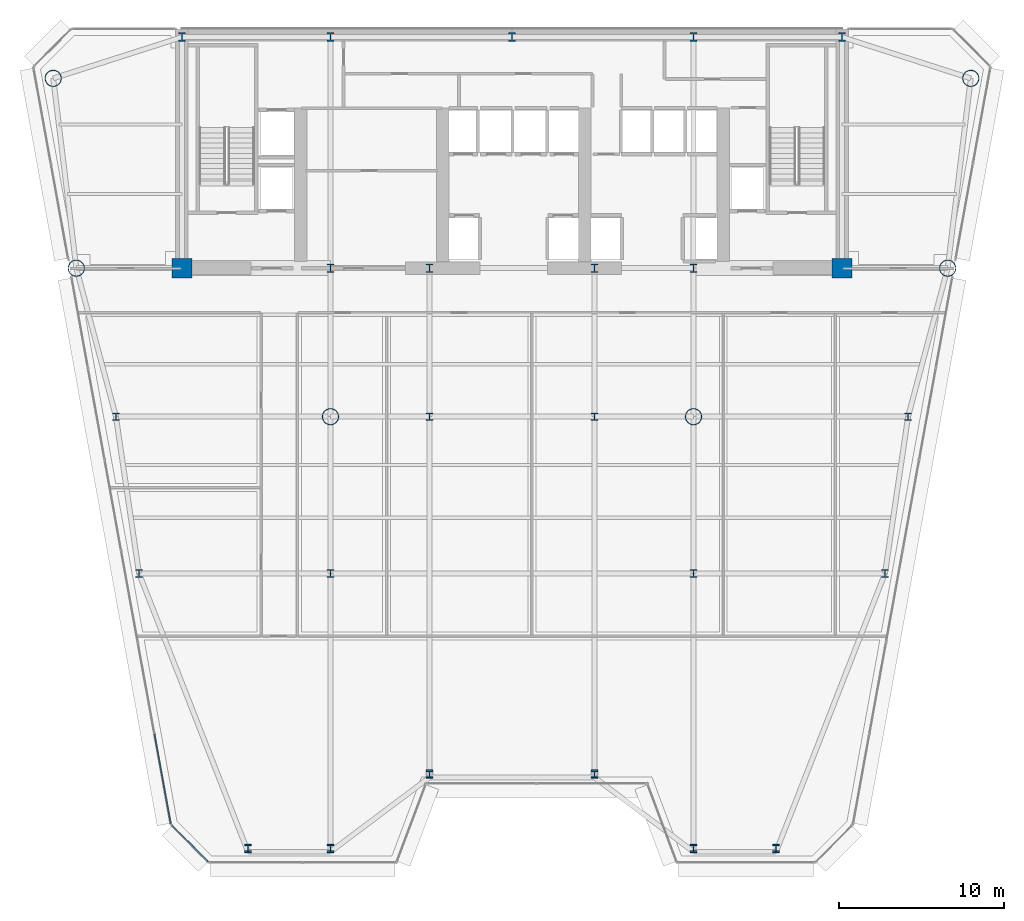
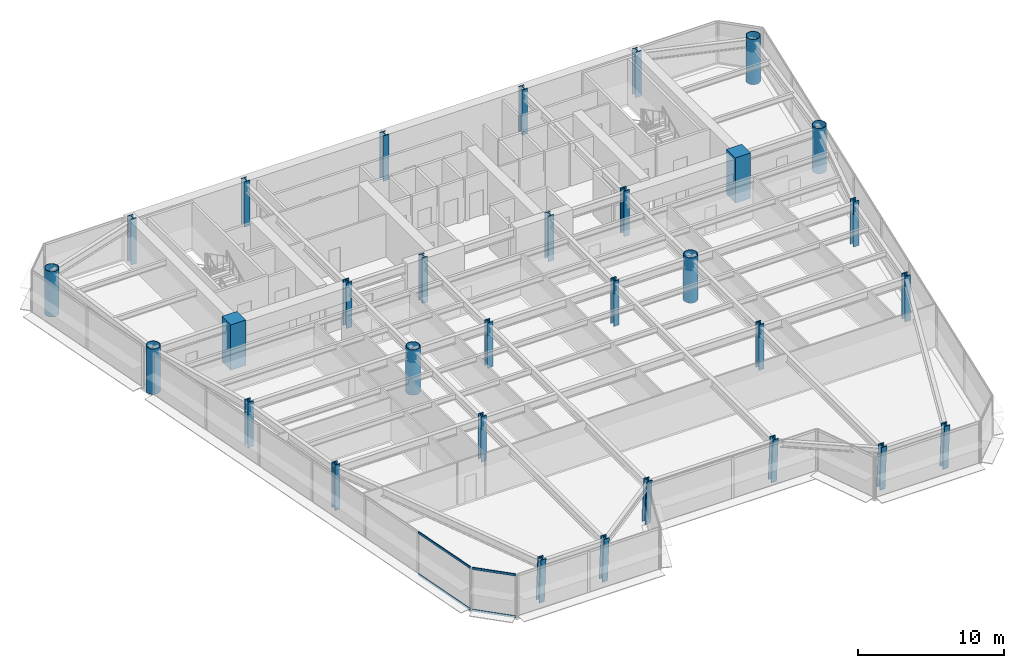
# One storey, part 1 of 14: 31 columns, 4 members, 2 elements without a shape of their own.
"""IFC4 building model written with IfcOpenShell, lengths in metres."""

from ifc_helpers import new_model, si_unit, direction, frame, origin, origin_2d, place, context, subcontext, project, spatial, rectangle, hollow_circle, i_section, extrude, source, transform, mapped, material, layer, layer_set, material_profile, profile_set, type_object, element, aggregate, save


model = new_model("IFC4")

# Units and contexts
model_context = context("Model", 3, precision=1e-05, world=origin(), true_north=direction((0.0, 1.0)))
body_context = subcontext(model_context, "Body", "Model", "MODEL_VIEW")
ifc_project = project(units=[si_unit("LENGTHUNIT", "METRE"), si_unit("AREAUNIT", "SQUARE_METRE"), si_unit("VOLUMEUNIT", "CUBIC_METRE"), si_unit("PLANEANGLEUNIT", "RADIAN"), si_unit("MASSUNIT", "GRAM", prefix="KILO")], contexts=[model_context])

# Site, building, storey
site_placement = place(None, origin())
site = spatial("IfcSite", under=ifc_project, at=site_placement, CompositionType="ELEMENT")
building_placement = place(site_placement, origin())
building = spatial("IfcBuilding", under=site, at=building_placement, Name="Vaeldorn Concourse Tower", CompositionType="ELEMENT")
storey_placement = place(building_placement, frame((0.0, 0.0, 137.60009765625)))
storey = spatial("IfcBuildingStorey", under=building, at=storey_placement, Name="L35", CompositionType="ELEMENT", Elevation=137.60009765625)

# Columns
ifc_material_1 = material(Name="Concrete C50/60", Category="concrete")
ifc_material_profile_1 = material_profile(ifc_material_1, rectangle(XDim=1.199951171875, YDim=1.199951171875, at=origin_2d()), Name="RC 1200x1200")
ifc_profile_set_1 = profile_set([ifc_material_profile_1], Name="Concrete C50/60")
column_type_1 = type_object("IfcColumnType", Name="COL-RC1200", PredefinedType="COLUMN", material=ifc_profile_set_1)
shared_shape_1 = source(origin(), body_context, "Body", "SweptSolid", [
    extrude(rectangle(XDim=1.199951171875, YDim=1.199951171875, at=origin_2d()), origin(), (0.0, 0.0, 1.0), 3.7998046875),
])
for number, where, z_axis, x_axis, name in (
    (1, (14.0, 36.5, 0.0), (0.0, 0.0, 1.0), (1.0, 0.0, 0.0), "Column C-FC1 L35"),
    (2, (54.0, 36.5, 0.0), (0.0, 0.0, 1.0), (1.0, 0.0, 0.0), "Column C-FC6 L35"),
):
    element("IfcColumn", number, at=place(storey_placement, frame(where, z_axis=z_axis, x_axis=x_axis)), inside=storey, type_object=column_type_1, Name=name, PredefinedType="COLUMN", context=body_context, shape_type="MappedRepresentation", body=[
        mapped(shared_shape_1, transform((0.0, 0.0, 0.0), scale=1.0)),
    ])
ifc_material_2 = material(Name="Steel S460", Category="steel")
ifc_material_profile_2 = material_profile(ifc_material_2, i_section(OverallWidth=0.44189453125, OverallDepth=0.531005859375, WebThickness=0.06494140625, FlangeThickness=0.075927734375, FilletRadius=0.014892578125, at=origin_2d()), Name="HD 400x900")
ifc_profile_set_2 = profile_set([ifc_material_profile_2], Name="Steel S460")
column_type_2 = type_object("IfcColumnType", Name="COL-HD900", PredefinedType="COLUMN", material=ifc_profile_set_2)
shared_shape_2 = source(origin(), body_context, "Body", "SweptSolid", [
    extrude(i_section(OverallWidth=0.44189453125, OverallDepth=0.531005859375, WebThickness=0.06494140625, FlangeThickness=0.075927734375, FilletRadius=0.014892578125, at=origin_2d()), origin(), (0.0, 0.0, 1.0), 3.7998046875),
])
for number, where, z_axis, x_axis, name in (
    (3, (23.0, 36.5, 0.0), (0.0, 0.0, 1.0), (1.0, 0.0, 0.0), "Column C-FC2 L35"),
    (4, (29.0, 36.5, 0.0), (0.0, 0.0, 1.0), (1.0, 0.0, 0.0), "Column C-FC3 L35"),
    (5, (39.0, 36.5, 0.0), (0.0, 0.0, 1.0), (1.0, 0.0, 0.0), "Column C-FC4 L35"),
    (6, (45.0, 36.5, 0.0), (0.0, 0.0, 1.0), (1.0, 0.0, 0.0), "Column C-FC5 L35"),
    (7, (14.0, 50.5, 0.0), (0.0, 0.0, 1.0), (1.0, 0.0, 0.0), "Column C-HC1 L35"),
    (8, (23.0, 50.5, 0.0), (0.0, 0.0, 1.0), (1.0, 0.0, 0.0), "Column C-HC2 L35"),
    (9, (34.0, 50.5, 0.0), (0.0, 0.0, 1.0), (1.0, 0.0, 0.0), "Column C-HC3 L35"),
    (10, (45.0, 50.5, 0.0), (0.0, 0.0, 1.0), (1.0, 0.0, 0.0), "Column C-HC4 L35"),
    (11, (54.0, 50.5, 0.0), (0.0, 0.0, 1.0), (1.0, 0.0, 0.0), "Column C-HC5 L35"),
):
    element("IfcColumn", number, at=place(storey_placement, frame(where, z_axis=z_axis, x_axis=x_axis)), inside=storey, type_object=column_type_2, Name=name, PredefinedType="COLUMN", context=body_context, shape_type="MappedRepresentation", body=[
        mapped(shared_shape_2, transform((0.0, 0.0, 0.0), scale=1.0)),
    ])
ifc_material_profile_3 = material_profile(ifc_material_2, hollow_circle(Radius=0.508056640625, WallThickness=0.044921875, at=origin_2d()), Name="CHS 1016x45")
ifc_profile_set_3 = profile_set([ifc_material_profile_3], Name="Steel S460")
column_type_3 = type_object("IfcColumnType", Name="COL-CHS1016", PredefinedType="COLUMN", material=ifc_profile_set_3)
shared_shape_3 = source(origin(), body_context, "Body", "SweptSolid", [
    extrude(hollow_circle(Radius=0.508056640625, WallThickness=0.044921875, at=origin_2d()), origin(), (0.0, 0.0, 1.0), 3.7998046875),
])
for number, where, z_axis, x_axis, name in (
    (12, (6.199951171875, 48.0, 0.0), (0.0, 0.0, 1.0), (1.0, 0.0, 0.0), "Column C-NW1 L35"),
    (13, (7.60009765625, 36.5, 0.0), (0.0, 0.0, 1.0), (1.0, 0.0, 0.0), "Column C-NW2 L35"),
    (14, (61.800048828125, 48.0, 0.0), (0.0, 0.0, 1.0), (1.0, 0.0, 0.0), "Column C-NE1 L35"),
    (15, (60.39990234375, 36.5, 0.0), (0.0, 0.0, 1.0), (1.0, 0.0, 0.0), "Column C-NE2 L35"),
    (16, (23.0, 27.5, 0.0), (0.0, 0.0, 1.0), (1.0, 0.0, 0.0), "Column C-TW1 L35"),
    (17, (45.0, 27.5, 0.0), (0.0, 0.0, 1.0), (1.0, 0.0, 0.0), "Column C-TW4 L35"),
):
    element("IfcColumn", number, at=place(storey_placement, frame(where, z_axis=z_axis, x_axis=x_axis)), inside=storey, type_object=column_type_3, Name=name, PredefinedType="COLUMN", context=body_context, shape_type="MappedRepresentation", body=[
        mapped(shared_shape_3, transform((0.0, 0.0, 0.0), scale=1.0)),
    ])
ifc_material_profile_4 = material_profile(ifc_material_2, i_section(OverallWidth=0.424072265625, OverallDepth=0.47412109375, WebThickness=0.047119140625, FlangeThickness=0.06494140625, FilletRadius=0.014892578125, at=origin_2d()), Name="HD 400x634")
ifc_profile_set_4 = profile_set([ifc_material_profile_4], Name="Steel S460")
column_type_4 = type_object("IfcColumnType", Name="COL-HD634F", PredefinedType="COLUMN", material=ifc_profile_set_4)
shared_shape_4 = source(origin(), body_context, "Body", "SweptSolid", [
    extrude(i_section(OverallWidth=0.424072265625, OverallDepth=0.47412109375, WebThickness=0.047119140625, FlangeThickness=0.06494140625, FilletRadius=0.014892578125, at=origin_2d()), origin(), (0.0, 0.0, 1.0), 3.7998046875),
])
for number, where, z_axis, x_axis, name in (
    (18, (10.0, 27.5, 0.0), (0.0, 0.0, 1.0), (1.0, 0.0, 0.0), "Column C-FLW1 L35"),
    (19, (11.39990234375, 18.0, 0.0), (0.0, 0.0, 1.0), (1.0, 0.0, 0.0), "Column C-FLW2 L35"),
    (20, (58.0, 27.5, 0.0), (0.0, 0.0, 1.0), (1.0, 0.0, 0.0), "Column C-FLE1 L35"),
    (21, (56.60009765625, 18.0, 0.0), (0.0, 0.0, 1.0), (1.0, 0.0, 0.0), "Column C-FLE2 L35"),
):
    element("IfcColumn", number, at=place(storey_placement, frame(where, z_axis=z_axis, x_axis=x_axis)), inside=storey, type_object=column_type_4, Name=name, PredefinedType="COLUMN", context=body_context, shape_type="MappedRepresentation", body=[
        mapped(shared_shape_4, transform((0.0, 0.0, 0.0), scale=1.0)),
    ])
ifc_material_profile_5 = material_profile(ifc_material_2, i_section(OverallWidth=0.424072265625, OverallDepth=0.47412109375, WebThickness=0.047119140625, FlangeThickness=0.06494140625, FilletRadius=0.014892578125, at=origin_2d()), Name="HD 400x634")
ifc_profile_set_5 = profile_set([ifc_material_profile_5], Name="Steel S460")
column_type_5 = type_object("IfcColumnType", Name="COL-HD634T", PredefinedType="COLUMN", material=ifc_profile_set_5)
shared_shape_5 = source(origin(), body_context, "Body", "SweptSolid", [
    extrude(i_section(OverallWidth=0.424072265625, OverallDepth=0.47412109375, WebThickness=0.047119140625, FlangeThickness=0.06494140625, FilletRadius=0.014892578125, at=origin_2d()), origin(), (0.0, 0.0, 1.0), 3.7998046875),
])
for number, where, z_axis, x_axis, name in (
    (22, (29.0, 27.5, 0.0), (0.0, 0.0, 1.0), (1.0, 0.0, 0.0), "Column C-TW2 L35"),
    (23, (39.0, 27.5, 0.0), (0.0, 0.0, 1.0), (1.0, 0.0, 0.0), "Column C-TW3 L35"),
    (24, (23.0, 18.0, 0.0), (0.0, 0.0, 1.0), (1.0, 0.0, 0.0), "Column C-TW5 L35"),
    (25, (45.0, 18.0, 0.0), (0.0, 0.0, 1.0), (1.0, 0.0, 0.0), "Column C-TW6 L35"),
):
    element("IfcColumn", number, at=place(storey_placement, frame(where, z_axis=z_axis, x_axis=x_axis)), inside=storey, type_object=column_type_5, Name=name, PredefinedType="COLUMN", context=body_context, shape_type="MappedRepresentation", body=[
        mapped(shared_shape_5, transform((0.0, 0.0, 0.0), scale=1.0)),
    ])
shared_shape_6 = source(origin(), body_context, "Body", "SweptSolid", [
    extrude(i_section(OverallWidth=0.424072265625, OverallDepth=0.47412109375, WebThickness=0.047119140625, FlangeThickness=0.06494140625, FilletRadius=0.014892578125, at=origin_2d()), origin(), (0.0, 0.0, 1.0), 3.743408203125),
])
for number, where, z_axis, x_axis, name in (
    (26, (18.0, 1.378173828125, 0.031982421875), (0.0, -0.06384802516, 0.997959633293), (1.0, 0.0, 0.0), "Column C-SF1 L35"),
    (27, (23.0, 1.378173828125, 0.031982421875), (0.0, -0.06384802516, 0.997959633293), (1.0, 0.0, 0.0), "Column C-SF2 L35"),
    (28, (29.0, 5.878173828125, 0.031982421875), (0.0, -0.06384802516, 0.997959633293), (1.0, 0.0, 0.0), "Column C-SF3 L35"),
    (29, (39.0, 5.878173828125, 0.031982421875), (0.0, -0.06384802516, 0.997959633293), (1.0, 0.0, 0.0), "Column C-SF4 L35"),
    (30, (45.0, 1.378173828125, 0.031982421875), (0.0, -0.06384802516, 0.997959633293), (1.0, 0.0, 0.0), "Column C-SF5 L35"),
    (31, (50.0, 1.378173828125, 0.031982421875), (0.0, -0.06384802516, 0.997959633293), (1.0, 0.0, 0.0), "Column C-SF6 L35"),
):
    element("IfcColumn", number, at=place(storey_placement, frame(where, z_axis=z_axis, x_axis=x_axis)), inside=storey, type_object=column_type_5, Name=name, PredefinedType="COLUMN", context=body_context, shape_type="MappedRepresentation", body=[
        mapped(shared_shape_6, transform((0.0, 0.0, 0.0), scale=1.0)),
    ])

# Curtain wall, members
ifc_material_3 = material(Name="Anodised Bronze Aluminium", Category="aluminium")
ifc_layer = layer(ifc_material_3, 0.199951171875)
ifc_layer_set = layer_set([ifc_layer], Name="Anodised Bronze Aluminium")
curtain_wall_type = type_object("IfcCurtainWallType", Name="CW-SYS-02", PredefinedType="NOTDEFINED", material=ifc_layer_set)
curtain_wall_1_placement = place(storey_placement, origin())
curtain_wall_1 = element("IfcCurtainWall", 32, at=curtain_wall_1_placement, inside=storey, type_object=curtain_wall_type, Name="Unitised Curtain Wall CW-L35-E12-1", PredefinedType="NOTDEFINED")
ifc_material_profile_6 = material_profile(ifc_material_3, rectangle(XDim=0.074951171875, YDim=0.179931640625, at=origin_2d()), Name="CWT 75x180")
ifc_profile_set_6 = profile_set([ifc_material_profile_6], Name="Anodised Bronze Aluminium")
member_type = type_object("IfcMemberType", Name="CWT-BRONZE-180", PredefinedType="USERDEFINED", material=ifc_profile_set_6)
shared_shape_7 = source(origin(), body_context, "Body", "SweptSolid", [
    extrude(rectangle(XDim=0.074951171875, YDim=0.179931640625, at=origin_2d()), origin(), (0.0, 0.0, 1.0), 3.1025390625),
])
member_1_placement = place(storey_placement, frame((13.38916015625, 2.72509765625, 0.037353515625), z_axis=(0.707106781187, -0.707106781187, 0.0), x_axis=(0.707106781187, 0.707106781187, 0.0)))
member_1 = element("IfcMember", 33, at=member_1_placement, type_object=member_type, Name="CW-02 transom 1.1", ObjectType="TRANSOM", PredefinedType="USERDEFINED", context=body_context, shape_type="MappedRepresentation", body=[
    mapped(shared_shape_7, transform((0.0, 0.0, 0.0), scale=1.0)),
])
member_2_placement = place(storey_placement, frame((13.38916015625, 2.72509765625, 3.54248046875), z_axis=(0.707106781187, -0.707106781187, 0.0), x_axis=(0.707106781187, 0.707106781187, 0.0)))
member_2 = element("IfcMember", 34, at=member_2_placement, type_object=member_type, Name="CW-02 transom 1.2", ObjectType="TRANSOM", PredefinedType="USERDEFINED", context=body_context, shape_type="MappedRepresentation", body=[
    mapped(shared_shape_7, transform((0.0, 0.0, 0.0), scale=1.0)),
])
aggregate(curtain_wall_1, [member_1, member_2])

curtain_wall_2_placement = place(storey_placement, origin())
curtain_wall_2 = element("IfcCurtainWall", 35, at=curtain_wall_2_placement, inside=storey, type_object=curtain_wall_type, Name="Unitised Curtain Wall CW-L35-E11-2", PredefinedType="NOTDEFINED")
shared_shape_8 = source(origin(), body_context, "Body", "SweptSolid", [
    extrude(rectangle(XDim=0.074951171875, YDim=0.179931640625, at=origin_2d()), origin(), (0.0, 0.0, 1.0), 5.511962890625),
])
member_3_placement = place(storey_placement, frame((12.338134765625, 8.275390625, 0.037353515625), z_axis=(0.178632078565, -0.98391594179, 0.0), x_axis=(0.98391594179, 0.178632078565, 0.0)))
member_3 = element("IfcMember", 36, at=member_3_placement, type_object=member_type, Name="CW-02 transom 6.1", ObjectType="TRANSOM", PredefinedType="USERDEFINED", context=body_context, shape_type="MappedRepresentation", body=[
    mapped(shared_shape_8, transform((0.0, 0.0, 0.0), scale=1.0)),
])
member_4_placement = place(storey_placement, frame((12.338134765625, 8.275390625, 3.54248046875), z_axis=(0.178632078565, -0.98391594179, 0.0), x_axis=(0.98391594179, 0.178632078565, 0.0)))
member_4 = element("IfcMember", 37, at=member_4_placement, type_object=member_type, Name="CW-02 transom 6.2", ObjectType="TRANSOM", PredefinedType="USERDEFINED", context=body_context, shape_type="MappedRepresentation", body=[
    mapped(shared_shape_8, transform((0.0, 0.0, 0.0), scale=1.0)),
])
aggregate(curtain_wall_2, [member_3, member_4])

save(model, "model.ifc")
